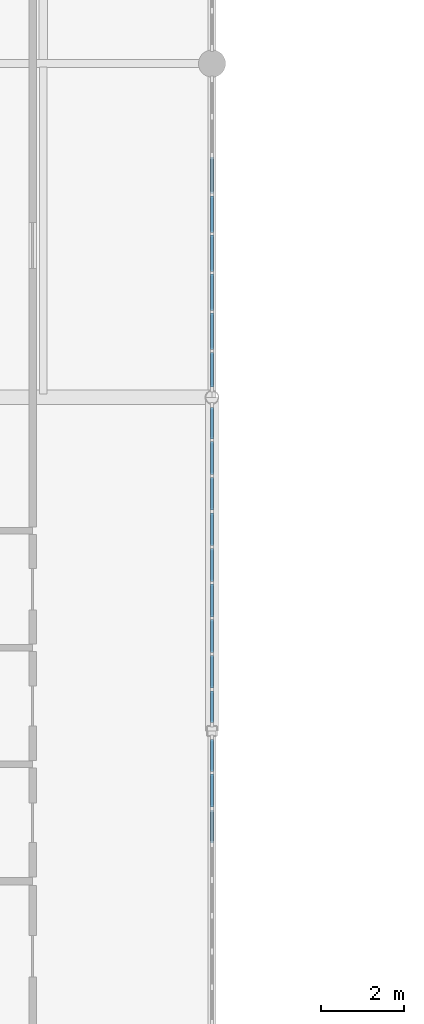
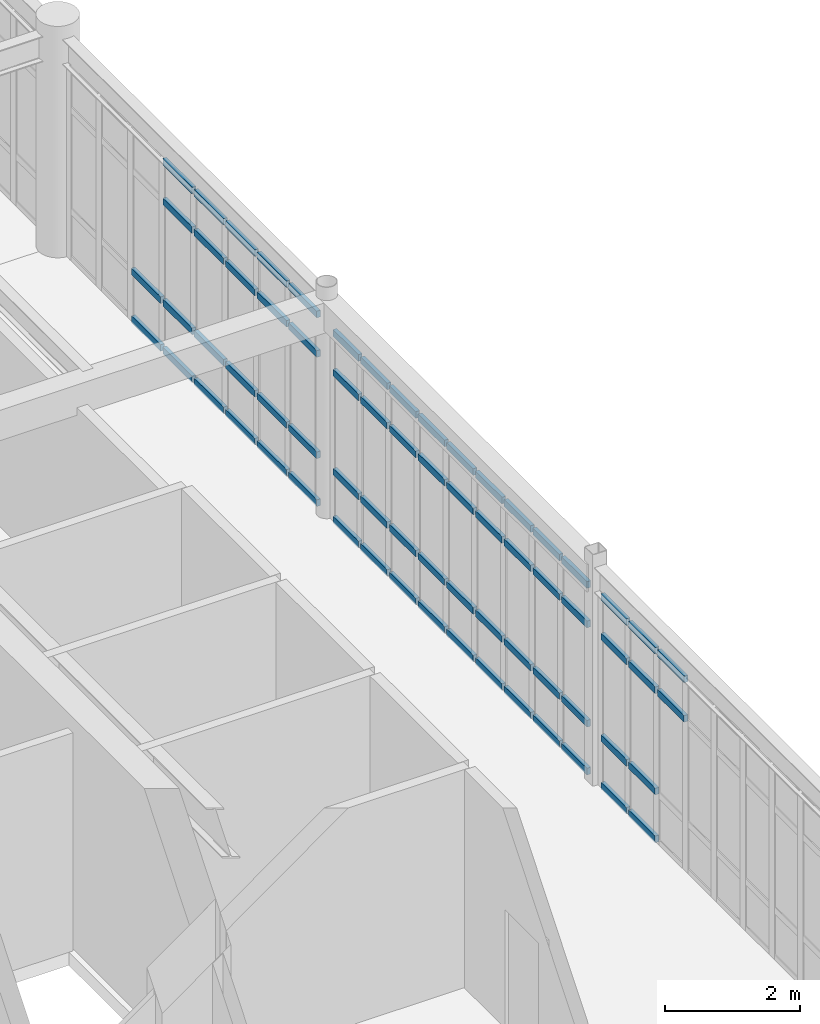
# One storey, part 16 of 36: 68 members, 3 elements without a shape of their own.
"""IFC4 building model written with IfcOpenShell, lengths in metres."""

from ifc_helpers import new_model, si_unit, direction, frame, origin, origin_2d, place, context, subcontext, project, spatial, rectangle, extrude, material, material_profile, profile_set, type_object, element, aggregate, save


model = new_model("IFC4")

# Units and contexts
model_context = context("Model", 3, precision=1e-05, world=origin(), true_north=direction((0.0, 1.0)))
body_context = subcontext(model_context, "Body", "Model", "MODEL_VIEW")
ifc_project = project(units=[si_unit("LENGTHUNIT", "METRE"), si_unit("AREAUNIT", "SQUARE_METRE"), si_unit("VOLUMEUNIT", "CUBIC_METRE"), si_unit("PLANEANGLEUNIT", "RADIAN"), si_unit("MASSUNIT", "GRAM", prefix="KILO")], contexts=[model_context])

# Site, building, storey
site_placement = place(None, origin())
site = spatial("IfcSite", under=ifc_project, at=site_placement, CompositionType="ELEMENT")
building_placement = place(site_placement, origin())
building = spatial("IfcBuilding", under=site, at=building_placement, Name="Tarnveldt Square Police Headquarters", CompositionType="ELEMENT")
storey_placement = place(building_placement, frame((0.0, 0.0, 24.89990234375)))
storey = spatial("IfcBuildingStorey", under=building, at=storey_placement, Name="L05", CompositionType="ELEMENT", Elevation=24.89990234375)

# Curtain wall, members
ifc_material_1 = material(Name="Triple-glazed low-e laminated vision glass", Category="glass")
curtain_wall_type_1 = type_object("IfcCurtainWallType", Name="CW-UP-771x349", PredefinedType="USERDEFINED", material=ifc_material_1)
curtain_wall_1_placement = place(storey_placement, origin())
curtain_wall_1 = element("IfcCurtainWall", 1, at=curtain_wall_1_placement, inside=storey, type_object=curtain_wall_type_1, Name="L05 Curtain Wall CW-L05-084", ObjectType="GLAZED CURTAIN WALL", PredefinedType="USERDEFINED")
ifc_material_2 = material(Name="Thermally broken anodised aluminium 6063-T6", Category="aluminium")
ifc_material_profile = material_profile(ifc_material_2, rectangle(XDim=0.06494140625, YDim=0.1201171875, at=origin_2d()), Name="CW-T65x120")
ifc_profile_set = profile_set([ifc_material_profile], Name="Thermally broken anodised aluminium 6063-T6")
member_type = type_object("IfcMemberType", Name="CWT-65x120", PredefinedType="USERDEFINED", material=ifc_profile_set)
member_1_placement = place(storey_placement, frame((40.5, 61.319580078125, 2.739013671875), z_axis=(0.0, 1.0, 0.0), x_axis=(-1.0, 0.0, 0.0)))
member_1 = element("IfcMember", 2, at=member_1_placement, type_object=member_type, Name="CW-UP42 transom 7.3", ObjectType="TRANSOM", PredefinedType="USERDEFINED", context=body_context, shape_type="SweptSolid", body=[
    extrude(rectangle(XDim=0.06494140625, YDim=0.1201171875, at=origin_2d()), origin(), (0.0, 0.0, 1.0), 0.7919921875),
])
member_2_placement = place(storey_placement, frame((40.5, 61.319580078125, 3.45654296875), z_axis=(0.0, 1.0, 0.0), x_axis=(-1.0, 0.0, 0.0)))
member_2 = element("IfcMember", 3, at=member_2_placement, type_object=member_type, Name="CW-UP42 transom 7.4", ObjectType="TRANSOM", PredefinedType="USERDEFINED", context=body_context, shape_type="SweptSolid", body=[
    extrude(rectangle(XDim=0.06494140625, YDim=0.1201171875, at=origin_2d()), origin(), (0.0, 0.0, 1.0), 0.7919921875),
])
member_3_placement = place(storey_placement, frame((40.5, 62.176513671875, 0.03271484375), z_axis=(0.0, 1.0, 0.0), x_axis=(-1.0, 0.0, 0.0)))
member_3 = element("IfcMember", 4, at=member_3_placement, type_object=member_type, Name="CW-UP42 transom 8.1", ObjectType="TRANSOM", PredefinedType="USERDEFINED", context=body_context, shape_type="SweptSolid", body=[
    extrude(rectangle(XDim=0.06494140625, YDim=0.1201171875, at=origin_2d()), origin(), (0.0, 0.0, 1.0), 0.7919921875),
])
member_4_placement = place(storey_placement, frame((40.5, 62.176513671875, 0.900146484375), z_axis=(0.0, 1.0, 0.0), x_axis=(-1.0, 0.0, 0.0)))
member_4 = element("IfcMember", 5, at=member_4_placement, type_object=member_type, Name="CW-UP42 transom 8.2", ObjectType="TRANSOM", PredefinedType="USERDEFINED", context=body_context, shape_type="SweptSolid", body=[
    extrude(rectangle(XDim=0.06494140625, YDim=0.1201171875, at=origin_2d()), origin(), (0.0, 0.0, 1.0), 0.7919921875),
])
member_5_placement = place(storey_placement, frame((40.5, 62.176513671875, 2.739013671875), z_axis=(0.0, 1.0, 0.0), x_axis=(-1.0, 0.0, 0.0)))
member_5 = element("IfcMember", 6, at=member_5_placement, type_object=member_type, Name="CW-UP42 transom 8.3", ObjectType="TRANSOM", PredefinedType="USERDEFINED", context=body_context, shape_type="SweptSolid", body=[
    extrude(rectangle(XDim=0.06494140625, YDim=0.1201171875, at=origin_2d()), origin(), (0.0, 0.0, 1.0), 0.7919921875),
])
member_6_placement = place(storey_placement, frame((40.5, 62.176513671875, 3.45654296875), z_axis=(0.0, 1.0, 0.0), x_axis=(-1.0, 0.0, 0.0)))
member_6 = element("IfcMember", 7, at=member_6_placement, type_object=member_type, Name="CW-UP42 transom 8.4", ObjectType="TRANSOM", PredefinedType="USERDEFINED", context=body_context, shape_type="SweptSolid", body=[
    extrude(rectangle(XDim=0.06494140625, YDim=0.1201171875, at=origin_2d()), origin(), (0.0, 0.0, 1.0), 0.7919921875),
])
member_7_placement = place(storey_placement, frame((40.5, 63.033447265625, 0.03271484375), z_axis=(0.0, 1.0, 0.0), x_axis=(-1.0, 0.0, 0.0)))
member_7 = element("IfcMember", 8, at=member_7_placement, type_object=member_type, Name="CW-UP42 transom 9.1", ObjectType="TRANSOM", PredefinedType="USERDEFINED", context=body_context, shape_type="SweptSolid", body=[
    extrude(rectangle(XDim=0.06494140625, YDim=0.1201171875, at=origin_2d()), origin(), (0.0, 0.0, 1.0), 0.759521484375),
])
member_8_placement = place(storey_placement, frame((40.5, 63.033447265625, 0.900146484375), z_axis=(0.0, 1.0, 0.0), x_axis=(-1.0, 0.0, 0.0)))
member_8 = element("IfcMember", 9, at=member_8_placement, type_object=member_type, Name="CW-UP42 transom 9.2", ObjectType="TRANSOM", PredefinedType="USERDEFINED", context=body_context, shape_type="SweptSolid", body=[
    extrude(rectangle(XDim=0.06494140625, YDim=0.1201171875, at=origin_2d()), origin(), (0.0, 0.0, 1.0), 0.759521484375),
])
member_9_placement = place(storey_placement, frame((40.5, 63.033447265625, 2.739013671875), z_axis=(0.0, 1.0, 0.0), x_axis=(-1.0, 0.0, 0.0)))
member_9 = element("IfcMember", 10, at=member_9_placement, type_object=member_type, Name="CW-UP42 transom 9.3", ObjectType="TRANSOM", PredefinedType="USERDEFINED", context=body_context, shape_type="SweptSolid", body=[
    extrude(rectangle(XDim=0.06494140625, YDim=0.1201171875, at=origin_2d()), origin(), (0.0, 0.0, 1.0), 0.759521484375),
])
member_10_placement = place(storey_placement, frame((40.5, 63.033447265625, 3.45654296875), z_axis=(0.0, 1.0, 0.0), x_axis=(-1.0, 0.0, 0.0)))
member_10 = element("IfcMember", 11, at=member_10_placement, type_object=member_type, Name="CW-UP42 transom 9.4", ObjectType="TRANSOM", PredefinedType="USERDEFINED", context=body_context, shape_type="SweptSolid", body=[
    extrude(rectangle(XDim=0.06494140625, YDim=0.1201171875, at=origin_2d()), origin(), (0.0, 0.0, 1.0), 0.759521484375),
])
aggregate(curtain_wall_1, [member_1, member_2, member_3, member_4, member_5, member_6, member_7, member_8, member_9, member_10])

curtain_wall_type_2 = type_object("IfcCurtainWallType", Name="CW-UP-768x345", PredefinedType="USERDEFINED", material=ifc_material_1)
curtain_wall_2_placement = place(storey_placement, origin())
curtain_wall_2 = element("IfcCurtainWall", 12, at=curtain_wall_2_placement, inside=storey, type_object=curtain_wall_type_2, Name="L05 Curtain Wall CW-L05-085", ObjectType="GLAZED CURTAIN WALL", PredefinedType="USERDEFINED")
member_11_placement = place(storey_placement, frame((40.5, 64.20703125, 0.03271484375), z_axis=(0.0, 1.0, 0.0), x_axis=(-1.0, 0.0, 0.0)))
member_11 = element("IfcMember", 13, at=member_11_placement, type_object=member_type, Name="CW-UP43 transom 1.1", ObjectType="TRANSOM", PredefinedType="USERDEFINED", context=body_context, shape_type="SweptSolid", body=[
    extrude(rectangle(XDim=0.06494140625, YDim=0.1201171875, at=origin_2d()), origin(), (0.0, 0.0, 1.0), 0.755859375),
])
member_12_placement = place(storey_placement, frame((40.5, 64.20703125, 0.900146484375), z_axis=(0.0, 1.0, 0.0), x_axis=(-1.0, 0.0, 0.0)))
member_12 = element("IfcMember", 14, at=member_12_placement, type_object=member_type, Name="CW-UP43 transom 1.2", ObjectType="TRANSOM", PredefinedType="USERDEFINED", context=body_context, shape_type="SweptSolid", body=[
    extrude(rectangle(XDim=0.06494140625, YDim=0.1201171875, at=origin_2d()), origin(), (0.0, 0.0, 1.0), 0.755859375),
])
member_13_placement = place(storey_placement, frame((40.5, 64.20703125, 2.7021484375), z_axis=(0.0, 1.0, 0.0), x_axis=(-1.0, 0.0, 0.0)))
member_13 = element("IfcMember", 15, at=member_13_placement, type_object=member_type, Name="CW-UP43 transom 1.3", ObjectType="TRANSOM", PredefinedType="USERDEFINED", context=body_context, shape_type="SweptSolid", body=[
    extrude(rectangle(XDim=0.06494140625, YDim=0.1201171875, at=origin_2d()), origin(), (0.0, 0.0, 1.0), 0.755859375),
])
member_14_placement = place(storey_placement, frame((40.5, 64.20703125, 3.419677734375), z_axis=(0.0, 1.0, 0.0), x_axis=(-1.0, 0.0, 0.0)))
member_14 = element("IfcMember", 16, at=member_14_placement, type_object=member_type, Name="CW-UP43 transom 1.4", ObjectType="TRANSOM", PredefinedType="USERDEFINED", context=body_context, shape_type="SweptSolid", body=[
    extrude(rectangle(XDim=0.06494140625, YDim=0.1201171875, at=origin_2d()), origin(), (0.0, 0.0, 1.0), 0.755859375),
])
member_15_placement = place(storey_placement, frame((40.5, 65.02783203125, 0.03271484375), z_axis=(0.0, 1.0, 0.0), x_axis=(-1.0, 0.0, 0.0)))
member_15 = element("IfcMember", 17, at=member_15_placement, type_object=member_type, Name="CW-UP43 transom 2.1", ObjectType="TRANSOM", PredefinedType="USERDEFINED", context=body_context, shape_type="SweptSolid", body=[
    extrude(rectangle(XDim=0.06494140625, YDim=0.1201171875, at=origin_2d()), origin(), (0.0, 0.0, 1.0), 0.78857421875),
])
member_16_placement = place(storey_placement, frame((40.5, 65.02783203125, 0.900146484375), z_axis=(0.0, 1.0, 0.0), x_axis=(-1.0, 0.0, 0.0)))
member_16 = element("IfcMember", 18, at=member_16_placement, type_object=member_type, Name="CW-UP43 transom 2.2", ObjectType="TRANSOM", PredefinedType="USERDEFINED", context=body_context, shape_type="SweptSolid", body=[
    extrude(rectangle(XDim=0.06494140625, YDim=0.1201171875, at=origin_2d()), origin(), (0.0, 0.0, 1.0), 0.78857421875),
])
member_17_placement = place(storey_placement, frame((40.5, 65.02783203125, 2.7021484375), z_axis=(0.0, 1.0, 0.0), x_axis=(-1.0, 0.0, 0.0)))
member_17 = element("IfcMember", 19, at=member_17_placement, type_object=member_type, Name="CW-UP43 transom 2.3", ObjectType="TRANSOM", PredefinedType="USERDEFINED", context=body_context, shape_type="SweptSolid", body=[
    extrude(rectangle(XDim=0.06494140625, YDim=0.1201171875, at=origin_2d()), origin(), (0.0, 0.0, 1.0), 0.78857421875),
])
member_18_placement = place(storey_placement, frame((40.5, 65.02783203125, 3.419677734375), z_axis=(0.0, 1.0, 0.0), x_axis=(-1.0, 0.0, 0.0)))
member_18 = element("IfcMember", 20, at=member_18_placement, type_object=member_type, Name="CW-UP43 transom 2.4", ObjectType="TRANSOM", PredefinedType="USERDEFINED", context=body_context, shape_type="SweptSolid", body=[
    extrude(rectangle(XDim=0.06494140625, YDim=0.1201171875, at=origin_2d()), origin(), (0.0, 0.0, 1.0), 0.78857421875),
])
member_19_placement = place(storey_placement, frame((40.5, 65.88134765625, 0.03271484375), z_axis=(0.0, 1.0, 0.0), x_axis=(-1.0, 0.0, 0.0)))
member_19 = element("IfcMember", 21, at=member_19_placement, type_object=member_type, Name="CW-UP43 transom 3.1", ObjectType="TRANSOM", PredefinedType="USERDEFINED", context=body_context, shape_type="SweptSolid", body=[
    extrude(rectangle(XDim=0.06494140625, YDim=0.1201171875, at=origin_2d()), origin(), (0.0, 0.0, 1.0), 0.78857421875),
])
member_20_placement = place(storey_placement, frame((40.5, 65.88134765625, 0.900146484375), z_axis=(0.0, 1.0, 0.0), x_axis=(-1.0, 0.0, 0.0)))
member_20 = element("IfcMember", 22, at=member_20_placement, type_object=member_type, Name="CW-UP43 transom 3.2", ObjectType="TRANSOM", PredefinedType="USERDEFINED", context=body_context, shape_type="SweptSolid", body=[
    extrude(rectangle(XDim=0.06494140625, YDim=0.1201171875, at=origin_2d()), origin(), (0.0, 0.0, 1.0), 0.78857421875),
])
member_21_placement = place(storey_placement, frame((40.5, 65.88134765625, 2.7021484375), z_axis=(0.0, 1.0, 0.0), x_axis=(-1.0, 0.0, 0.0)))
member_21 = element("IfcMember", 23, at=member_21_placement, type_object=member_type, Name="CW-UP43 transom 3.3", ObjectType="TRANSOM", PredefinedType="USERDEFINED", context=body_context, shape_type="SweptSolid", body=[
    extrude(rectangle(XDim=0.06494140625, YDim=0.1201171875, at=origin_2d()), origin(), (0.0, 0.0, 1.0), 0.78857421875),
])
member_22_placement = place(storey_placement, frame((40.5, 65.88134765625, 3.419677734375), z_axis=(0.0, 1.0, 0.0), x_axis=(-1.0, 0.0, 0.0)))
member_22 = element("IfcMember", 24, at=member_22_placement, type_object=member_type, Name="CW-UP43 transom 3.4", ObjectType="TRANSOM", PredefinedType="USERDEFINED", context=body_context, shape_type="SweptSolid", body=[
    extrude(rectangle(XDim=0.06494140625, YDim=0.1201171875, at=origin_2d()), origin(), (0.0, 0.0, 1.0), 0.78857421875),
])
member_23_placement = place(storey_placement, frame((40.5, 66.73486328125, 0.03271484375), z_axis=(0.0, 1.0, 0.0), x_axis=(-1.0, 0.0, 0.0)))
member_23 = element("IfcMember", 25, at=member_23_placement, type_object=member_type, Name="CW-UP43 transom 4.1", ObjectType="TRANSOM", PredefinedType="USERDEFINED", context=body_context, shape_type="SweptSolid", body=[
    extrude(rectangle(XDim=0.06494140625, YDim=0.1201171875, at=origin_2d()), origin(), (0.0, 0.0, 1.0), 0.788330078125),
])
member_24_placement = place(storey_placement, frame((40.5, 66.73486328125, 0.900146484375), z_axis=(0.0, 1.0, 0.0), x_axis=(-1.0, 0.0, 0.0)))
member_24 = element("IfcMember", 26, at=member_24_placement, type_object=member_type, Name="CW-UP43 transom 4.2", ObjectType="TRANSOM", PredefinedType="USERDEFINED", context=body_context, shape_type="SweptSolid", body=[
    extrude(rectangle(XDim=0.06494140625, YDim=0.1201171875, at=origin_2d()), origin(), (0.0, 0.0, 1.0), 0.788330078125),
])
member_25_placement = place(storey_placement, frame((40.5, 66.73486328125, 2.7021484375), z_axis=(0.0, 1.0, 0.0), x_axis=(-1.0, 0.0, 0.0)))
member_25 = element("IfcMember", 27, at=member_25_placement, type_object=member_type, Name="CW-UP43 transom 4.3", ObjectType="TRANSOM", PredefinedType="USERDEFINED", context=body_context, shape_type="SweptSolid", body=[
    extrude(rectangle(XDim=0.06494140625, YDim=0.1201171875, at=origin_2d()), origin(), (0.0, 0.0, 1.0), 0.788330078125),
])
member_26_placement = place(storey_placement, frame((40.5, 66.73486328125, 3.419677734375), z_axis=(0.0, 1.0, 0.0), x_axis=(-1.0, 0.0, 0.0)))
member_26 = element("IfcMember", 28, at=member_26_placement, type_object=member_type, Name="CW-UP43 transom 4.4", ObjectType="TRANSOM", PredefinedType="USERDEFINED", context=body_context, shape_type="SweptSolid", body=[
    extrude(rectangle(XDim=0.06494140625, YDim=0.1201171875, at=origin_2d()), origin(), (0.0, 0.0, 1.0), 0.788330078125),
])
member_27_placement = place(storey_placement, frame((40.5, 67.58837890625, 0.03271484375), z_axis=(0.0, 1.0, 0.0), x_axis=(-1.0, 0.0, 0.0)))
member_27 = element("IfcMember", 29, at=member_27_placement, type_object=member_type, Name="CW-UP43 transom 5.1", ObjectType="TRANSOM", PredefinedType="USERDEFINED", context=body_context, shape_type="SweptSolid", body=[
    extrude(rectangle(XDim=0.06494140625, YDim=0.1201171875, at=origin_2d()), origin(), (0.0, 0.0, 1.0), 0.788330078125),
])
member_28_placement = place(storey_placement, frame((40.5, 67.58837890625, 0.900146484375), z_axis=(0.0, 1.0, 0.0), x_axis=(-1.0, 0.0, 0.0)))
member_28 = element("IfcMember", 30, at=member_28_placement, type_object=member_type, Name="CW-UP43 transom 5.2", ObjectType="TRANSOM", PredefinedType="USERDEFINED", context=body_context, shape_type="SweptSolid", body=[
    extrude(rectangle(XDim=0.06494140625, YDim=0.1201171875, at=origin_2d()), origin(), (0.0, 0.0, 1.0), 0.788330078125),
])
member_29_placement = place(storey_placement, frame((40.5, 67.58837890625, 2.7021484375), z_axis=(0.0, 1.0, 0.0), x_axis=(-1.0, 0.0, 0.0)))
member_29 = element("IfcMember", 31, at=member_29_placement, type_object=member_type, Name="CW-UP43 transom 5.3", ObjectType="TRANSOM", PredefinedType="USERDEFINED", context=body_context, shape_type="SweptSolid", body=[
    extrude(rectangle(XDim=0.06494140625, YDim=0.1201171875, at=origin_2d()), origin(), (0.0, 0.0, 1.0), 0.788330078125),
])
member_30_placement = place(storey_placement, frame((40.5, 67.58837890625, 3.419677734375), z_axis=(0.0, 1.0, 0.0), x_axis=(-1.0, 0.0, 0.0)))
member_30 = element("IfcMember", 32, at=member_30_placement, type_object=member_type, Name="CW-UP43 transom 5.4", ObjectType="TRANSOM", PredefinedType="USERDEFINED", context=body_context, shape_type="SweptSolid", body=[
    extrude(rectangle(XDim=0.06494140625, YDim=0.1201171875, at=origin_2d()), origin(), (0.0, 0.0, 1.0), 0.788330078125),
])
member_31_placement = place(storey_placement, frame((40.5, 68.441650390625, 0.03271484375), z_axis=(0.0, 1.0, 0.0), x_axis=(-1.0, 0.0, 0.0)))
member_31 = element("IfcMember", 33, at=member_31_placement, type_object=member_type, Name="CW-UP43 transom 6.1", ObjectType="TRANSOM", PredefinedType="USERDEFINED", context=body_context, shape_type="SweptSolid", body=[
    extrude(rectangle(XDim=0.06494140625, YDim=0.1201171875, at=origin_2d()), origin(), (0.0, 0.0, 1.0), 0.78857421875),
])
member_32_placement = place(storey_placement, frame((40.5, 68.441650390625, 0.900146484375), z_axis=(0.0, 1.0, 0.0), x_axis=(-1.0, 0.0, 0.0)))
member_32 = element("IfcMember", 34, at=member_32_placement, type_object=member_type, Name="CW-UP43 transom 6.2", ObjectType="TRANSOM", PredefinedType="USERDEFINED", context=body_context, shape_type="SweptSolid", body=[
    extrude(rectangle(XDim=0.06494140625, YDim=0.1201171875, at=origin_2d()), origin(), (0.0, 0.0, 1.0), 0.78857421875),
])
member_33_placement = place(storey_placement, frame((40.5, 68.441650390625, 2.7021484375), z_axis=(0.0, 1.0, 0.0), x_axis=(-1.0, 0.0, 0.0)))
member_33 = element("IfcMember", 35, at=member_33_placement, type_object=member_type, Name="CW-UP43 transom 6.3", ObjectType="TRANSOM", PredefinedType="USERDEFINED", context=body_context, shape_type="SweptSolid", body=[
    extrude(rectangle(XDim=0.06494140625, YDim=0.1201171875, at=origin_2d()), origin(), (0.0, 0.0, 1.0), 0.78857421875),
])
member_34_placement = place(storey_placement, frame((40.5, 68.441650390625, 3.419677734375), z_axis=(0.0, 1.0, 0.0), x_axis=(-1.0, 0.0, 0.0)))
member_34 = element("IfcMember", 36, at=member_34_placement, type_object=member_type, Name="CW-UP43 transom 6.4", ObjectType="TRANSOM", PredefinedType="USERDEFINED", context=body_context, shape_type="SweptSolid", body=[
    extrude(rectangle(XDim=0.06494140625, YDim=0.1201171875, at=origin_2d()), origin(), (0.0, 0.0, 1.0), 0.78857421875),
])
member_35_placement = place(storey_placement, frame((40.5, 69.295166015625, 0.03271484375), z_axis=(0.0, 1.0, 0.0), x_axis=(-1.0, 0.0, 0.0)))
member_35 = element("IfcMember", 37, at=member_35_placement, type_object=member_type, Name="CW-UP43 transom 7.1", ObjectType="TRANSOM", PredefinedType="USERDEFINED", context=body_context, shape_type="SweptSolid", body=[
    extrude(rectangle(XDim=0.06494140625, YDim=0.1201171875, at=origin_2d()), origin(), (0.0, 0.0, 1.0), 0.788330078125),
])
member_36_placement = place(storey_placement, frame((40.5, 69.295166015625, 0.900146484375), z_axis=(0.0, 1.0, 0.0), x_axis=(-1.0, 0.0, 0.0)))
member_36 = element("IfcMember", 38, at=member_36_placement, type_object=member_type, Name="CW-UP43 transom 7.2", ObjectType="TRANSOM", PredefinedType="USERDEFINED", context=body_context, shape_type="SweptSolid", body=[
    extrude(rectangle(XDim=0.06494140625, YDim=0.1201171875, at=origin_2d()), origin(), (0.0, 0.0, 1.0), 0.788330078125),
])
member_37_placement = place(storey_placement, frame((40.5, 69.295166015625, 2.7021484375), z_axis=(0.0, 1.0, 0.0), x_axis=(-1.0, 0.0, 0.0)))
member_37 = element("IfcMember", 39, at=member_37_placement, type_object=member_type, Name="CW-UP43 transom 7.3", ObjectType="TRANSOM", PredefinedType="USERDEFINED", context=body_context, shape_type="SweptSolid", body=[
    extrude(rectangle(XDim=0.06494140625, YDim=0.1201171875, at=origin_2d()), origin(), (0.0, 0.0, 1.0), 0.788330078125),
])
member_38_placement = place(storey_placement, frame((40.5, 69.295166015625, 3.419677734375), z_axis=(0.0, 1.0, 0.0), x_axis=(-1.0, 0.0, 0.0)))
member_38 = element("IfcMember", 40, at=member_38_placement, type_object=member_type, Name="CW-UP43 transom 7.4", ObjectType="TRANSOM", PredefinedType="USERDEFINED", context=body_context, shape_type="SweptSolid", body=[
    extrude(rectangle(XDim=0.06494140625, YDim=0.1201171875, at=origin_2d()), origin(), (0.0, 0.0, 1.0), 0.788330078125),
])
member_39_placement = place(storey_placement, frame((40.5, 70.148681640625, 0.03271484375), z_axis=(0.0, 1.0, 0.0), x_axis=(-1.0, 0.0, 0.0)))
member_39 = element("IfcMember", 41, at=member_39_placement, type_object=member_type, Name="CW-UP43 transom 8.1", ObjectType="TRANSOM", PredefinedType="USERDEFINED", context=body_context, shape_type="SweptSolid", body=[
    extrude(rectangle(XDim=0.06494140625, YDim=0.1201171875, at=origin_2d()), origin(), (0.0, 0.0, 1.0), 0.788330078125),
])
member_40_placement = place(storey_placement, frame((40.5, 70.148681640625, 0.900146484375), z_axis=(0.0, 1.0, 0.0), x_axis=(-1.0, 0.0, 0.0)))
member_40 = element("IfcMember", 42, at=member_40_placement, type_object=member_type, Name="CW-UP43 transom 8.2", ObjectType="TRANSOM", PredefinedType="USERDEFINED", context=body_context, shape_type="SweptSolid", body=[
    extrude(rectangle(XDim=0.06494140625, YDim=0.1201171875, at=origin_2d()), origin(), (0.0, 0.0, 1.0), 0.788330078125),
])
member_41_placement = place(storey_placement, frame((40.5, 70.148681640625, 2.7021484375), z_axis=(0.0, 1.0, 0.0), x_axis=(-1.0, 0.0, 0.0)))
member_41 = element("IfcMember", 43, at=member_41_placement, type_object=member_type, Name="CW-UP43 transom 8.3", ObjectType="TRANSOM", PredefinedType="USERDEFINED", context=body_context, shape_type="SweptSolid", body=[
    extrude(rectangle(XDim=0.06494140625, YDim=0.1201171875, at=origin_2d()), origin(), (0.0, 0.0, 1.0), 0.788330078125),
])
member_42_placement = place(storey_placement, frame((40.5, 70.148681640625, 3.419677734375), z_axis=(0.0, 1.0, 0.0), x_axis=(-1.0, 0.0, 0.0)))
member_42 = element("IfcMember", 44, at=member_42_placement, type_object=member_type, Name="CW-UP43 transom 8.4", ObjectType="TRANSOM", PredefinedType="USERDEFINED", context=body_context, shape_type="SweptSolid", body=[
    extrude(rectangle(XDim=0.06494140625, YDim=0.1201171875, at=origin_2d()), origin(), (0.0, 0.0, 1.0), 0.788330078125),
])
member_43_placement = place(storey_placement, frame((40.5, 71.001953125, 0.03271484375), z_axis=(0.0, 1.0, 0.0), x_axis=(-1.0, 0.0, 0.0)))
member_43 = element("IfcMember", 45, at=member_43_placement, type_object=member_type, Name="CW-UP43 transom 9.1", ObjectType="TRANSOM", PredefinedType="USERDEFINED", context=body_context, shape_type="SweptSolid", body=[
    extrude(rectangle(XDim=0.06494140625, YDim=0.1201171875, at=origin_2d()), origin(), (0.0, 0.0, 1.0), 0.756103515625),
])
member_44_placement = place(storey_placement, frame((40.5, 71.001953125, 0.900146484375), z_axis=(0.0, 1.0, 0.0), x_axis=(-1.0, 0.0, 0.0)))
member_44 = element("IfcMember", 46, at=member_44_placement, type_object=member_type, Name="CW-UP43 transom 9.2", ObjectType="TRANSOM", PredefinedType="USERDEFINED", context=body_context, shape_type="SweptSolid", body=[
    extrude(rectangle(XDim=0.06494140625, YDim=0.1201171875, at=origin_2d()), origin(), (0.0, 0.0, 1.0), 0.756103515625),
])
member_45_placement = place(storey_placement, frame((40.5, 71.001953125, 2.7021484375), z_axis=(0.0, 1.0, 0.0), x_axis=(-1.0, 0.0, 0.0)))
member_45 = element("IfcMember", 47, at=member_45_placement, type_object=member_type, Name="CW-UP43 transom 9.3", ObjectType="TRANSOM", PredefinedType="USERDEFINED", context=body_context, shape_type="SweptSolid", body=[
    extrude(rectangle(XDim=0.06494140625, YDim=0.1201171875, at=origin_2d()), origin(), (0.0, 0.0, 1.0), 0.756103515625),
])
member_46_placement = place(storey_placement, frame((40.5, 71.001953125, 3.419677734375), z_axis=(0.0, 1.0, 0.0), x_axis=(-1.0, 0.0, 0.0)))
member_46 = element("IfcMember", 48, at=member_46_placement, type_object=member_type, Name="CW-UP43 transom 9.4", ObjectType="TRANSOM", PredefinedType="USERDEFINED", context=body_context, shape_type="SweptSolid", body=[
    extrude(rectangle(XDim=0.06494140625, YDim=0.1201171875, at=origin_2d()), origin(), (0.0, 0.0, 1.0), 0.756103515625),
])
aggregate(curtain_wall_2, [member_11, member_12, member_13, member_14, member_15, member_16, member_17, member_18, member_19, member_20, member_21, member_22, member_23, member_24, member_25, member_26, member_27, member_28, member_29, member_30, member_31, member_32, member_33, member_34, member_35, member_36, member_37, member_38, member_39, member_40, member_41, member_42, member_43, member_44, member_45, member_46])

curtain_wall_type_3 = type_object("IfcCurtainWallType", Name="CW-UP-748x349", PredefinedType="USERDEFINED", material=ifc_material_1)
curtain_wall_3_placement = place(storey_placement, origin())
curtain_wall_3 = element("IfcCurtainWall", 49, at=curtain_wall_3_placement, inside=storey, type_object=curtain_wall_type_3, Name="L05 Curtain Wall CW-L05-086", ObjectType="GLAZED CURTAIN WALL", PredefinedType="USERDEFINED")
member_47_placement = place(storey_placement, frame((40.5, 72.241943359375, 0.03271484375), z_axis=(0.0, 1.0, 0.0), x_axis=(-1.0, 0.0, 0.0)))
member_47 = element("IfcMember", 50, at=member_47_placement, type_object=member_type, Name="CW-UP44 transom 1.1", ObjectType="TRANSOM", PredefinedType="USERDEFINED", context=body_context, shape_type="SweptSolid", body=[
    extrude(rectangle(XDim=0.06494140625, YDim=0.1201171875, at=origin_2d()), origin(), (0.0, 0.0, 1.0), 0.837890625),
])
member_48_placement = place(storey_placement, frame((40.5, 72.241943359375, 0.900146484375), z_axis=(0.0, 1.0, 0.0), x_axis=(-1.0, 0.0, 0.0)))
member_48 = element("IfcMember", 51, at=member_48_placement, type_object=member_type, Name="CW-UP44 transom 1.2", ObjectType="TRANSOM", PredefinedType="USERDEFINED", context=body_context, shape_type="SweptSolid", body=[
    extrude(rectangle(XDim=0.06494140625, YDim=0.1201171875, at=origin_2d()), origin(), (0.0, 0.0, 1.0), 0.837890625),
])
member_49_placement = place(storey_placement, frame((40.5, 72.241943359375, 2.739013671875), z_axis=(0.0, 1.0, 0.0), x_axis=(-1.0, 0.0, 0.0)))
member_49 = element("IfcMember", 52, at=member_49_placement, type_object=member_type, Name="CW-UP44 transom 1.3", ObjectType="TRANSOM", PredefinedType="USERDEFINED", context=body_context, shape_type="SweptSolid", body=[
    extrude(rectangle(XDim=0.06494140625, YDim=0.1201171875, at=origin_2d()), origin(), (0.0, 0.0, 1.0), 0.837890625),
])
member_50_placement = place(storey_placement, frame((40.5, 72.241943359375, 3.45654296875), z_axis=(0.0, 1.0, 0.0), x_axis=(-1.0, 0.0, 0.0)))
member_50 = element("IfcMember", 53, at=member_50_placement, type_object=member_type, Name="CW-UP44 transom 1.4", ObjectType="TRANSOM", PredefinedType="USERDEFINED", context=body_context, shape_type="SweptSolid", body=[
    extrude(rectangle(XDim=0.06494140625, YDim=0.1201171875, at=origin_2d()), origin(), (0.0, 0.0, 1.0), 0.837890625),
])
member_51_placement = place(storey_placement, frame((40.5, 73.144775390625, 0.03271484375), z_axis=(0.0, 1.0, 0.0), x_axis=(-1.0, 0.0, 0.0)))
member_51 = element("IfcMember", 54, at=member_51_placement, type_object=member_type, Name="CW-UP44 transom 2.1", ObjectType="TRANSOM", PredefinedType="USERDEFINED", context=body_context, shape_type="SweptSolid", body=[
    extrude(rectangle(XDim=0.06494140625, YDim=0.1201171875, at=origin_2d()), origin(), (0.0, 0.0, 1.0), 0.870361328125),
])
member_52_placement = place(storey_placement, frame((40.5, 73.144775390625, 0.900146484375), z_axis=(0.0, 1.0, 0.0), x_axis=(-1.0, 0.0, 0.0)))
member_52 = element("IfcMember", 55, at=member_52_placement, type_object=member_type, Name="CW-UP44 transom 2.2", ObjectType="TRANSOM", PredefinedType="USERDEFINED", context=body_context, shape_type="SweptSolid", body=[
    extrude(rectangle(XDim=0.06494140625, YDim=0.1201171875, at=origin_2d()), origin(), (0.0, 0.0, 1.0), 0.870361328125),
])
member_53_placement = place(storey_placement, frame((40.5, 73.144775390625, 2.739013671875), z_axis=(0.0, 1.0, 0.0), x_axis=(-1.0, 0.0, 0.0)))
member_53 = element("IfcMember", 56, at=member_53_placement, type_object=member_type, Name="CW-UP44 transom 2.3", ObjectType="TRANSOM", PredefinedType="USERDEFINED", context=body_context, shape_type="SweptSolid", body=[
    extrude(rectangle(XDim=0.06494140625, YDim=0.1201171875, at=origin_2d()), origin(), (0.0, 0.0, 1.0), 0.870361328125),
])
member_54_placement = place(storey_placement, frame((40.5, 73.144775390625, 3.45654296875), z_axis=(0.0, 1.0, 0.0), x_axis=(-1.0, 0.0, 0.0)))
member_54 = element("IfcMember", 57, at=member_54_placement, type_object=member_type, Name="CW-UP44 transom 2.4", ObjectType="TRANSOM", PredefinedType="USERDEFINED", context=body_context, shape_type="SweptSolid", body=[
    extrude(rectangle(XDim=0.06494140625, YDim=0.1201171875, at=origin_2d()), origin(), (0.0, 0.0, 1.0), 0.870361328125),
])
member_55_placement = place(storey_placement, frame((40.5, 74.080322265625, 0.03271484375), z_axis=(0.0, 1.0, 0.0), x_axis=(-1.0, 0.0, 0.0)))
member_55 = element("IfcMember", 58, at=member_55_placement, type_object=member_type, Name="CW-UP44 transom 3.1", ObjectType="TRANSOM", PredefinedType="USERDEFINED", context=body_context, shape_type="SweptSolid", body=[
    extrude(rectangle(XDim=0.06494140625, YDim=0.1201171875, at=origin_2d()), origin(), (0.0, 0.0, 1.0), 0.870361328125),
])
member_56_placement = place(storey_placement, frame((40.5, 74.080322265625, 0.900146484375), z_axis=(0.0, 1.0, 0.0), x_axis=(-1.0, 0.0, 0.0)))
member_56 = element("IfcMember", 59, at=member_56_placement, type_object=member_type, Name="CW-UP44 transom 3.2", ObjectType="TRANSOM", PredefinedType="USERDEFINED", context=body_context, shape_type="SweptSolid", body=[
    extrude(rectangle(XDim=0.06494140625, YDim=0.1201171875, at=origin_2d()), origin(), (0.0, 0.0, 1.0), 0.870361328125),
])
member_57_placement = place(storey_placement, frame((40.5, 74.080322265625, 2.739013671875), z_axis=(0.0, 1.0, 0.0), x_axis=(-1.0, 0.0, 0.0)))
member_57 = element("IfcMember", 60, at=member_57_placement, type_object=member_type, Name="CW-UP44 transom 3.3", ObjectType="TRANSOM", PredefinedType="USERDEFINED", context=body_context, shape_type="SweptSolid", body=[
    extrude(rectangle(XDim=0.06494140625, YDim=0.1201171875, at=origin_2d()), origin(), (0.0, 0.0, 1.0), 0.870361328125),
])
member_58_placement = place(storey_placement, frame((40.5, 74.080322265625, 3.45654296875), z_axis=(0.0, 1.0, 0.0), x_axis=(-1.0, 0.0, 0.0)))
member_58 = element("IfcMember", 61, at=member_58_placement, type_object=member_type, Name="CW-UP44 transom 3.4", ObjectType="TRANSOM", PredefinedType="USERDEFINED", context=body_context, shape_type="SweptSolid", body=[
    extrude(rectangle(XDim=0.06494140625, YDim=0.1201171875, at=origin_2d()), origin(), (0.0, 0.0, 1.0), 0.870361328125),
])
member_59_placement = place(storey_placement, frame((40.5, 75.015625, 0.03271484375), z_axis=(0.0, 1.0, 0.0), x_axis=(-1.0, 0.0, 0.0)))
member_59 = element("IfcMember", 62, at=member_59_placement, type_object=member_type, Name="CW-UP44 transom 4.1", ObjectType="TRANSOM", PredefinedType="USERDEFINED", context=body_context, shape_type="SweptSolid", body=[
    extrude(rectangle(XDim=0.06494140625, YDim=0.1201171875, at=origin_2d()), origin(), (0.0, 0.0, 1.0), 0.870361328125),
])
member_60_placement = place(storey_placement, frame((40.5, 75.015625, 0.900146484375), z_axis=(0.0, 1.0, 0.0), x_axis=(-1.0, 0.0, 0.0)))
member_60 = element("IfcMember", 63, at=member_60_placement, type_object=member_type, Name="CW-UP44 transom 4.2", ObjectType="TRANSOM", PredefinedType="USERDEFINED", context=body_context, shape_type="SweptSolid", body=[
    extrude(rectangle(XDim=0.06494140625, YDim=0.1201171875, at=origin_2d()), origin(), (0.0, 0.0, 1.0), 0.870361328125),
])
member_61_placement = place(storey_placement, frame((40.5, 75.015625, 2.739013671875), z_axis=(0.0, 1.0, 0.0), x_axis=(-1.0, 0.0, 0.0)))
member_61 = element("IfcMember", 64, at=member_61_placement, type_object=member_type, Name="CW-UP44 transom 4.3", ObjectType="TRANSOM", PredefinedType="USERDEFINED", context=body_context, shape_type="SweptSolid", body=[
    extrude(rectangle(XDim=0.06494140625, YDim=0.1201171875, at=origin_2d()), origin(), (0.0, 0.0, 1.0), 0.870361328125),
])
member_62_placement = place(storey_placement, frame((40.5, 75.015625, 3.45654296875), z_axis=(0.0, 1.0, 0.0), x_axis=(-1.0, 0.0, 0.0)))
member_62 = element("IfcMember", 65, at=member_62_placement, type_object=member_type, Name="CW-UP44 transom 4.4", ObjectType="TRANSOM", PredefinedType="USERDEFINED", context=body_context, shape_type="SweptSolid", body=[
    extrude(rectangle(XDim=0.06494140625, YDim=0.1201171875, at=origin_2d()), origin(), (0.0, 0.0, 1.0), 0.870361328125),
])
member_63_placement = place(storey_placement, frame((40.5, 75.950927734375, 0.03271484375), z_axis=(0.0, 1.0, 0.0), x_axis=(-1.0, 0.0, 0.0)))
member_63 = element("IfcMember", 66, at=member_63_placement, type_object=member_type, Name="CW-UP44 transom 5.1", ObjectType="TRANSOM", PredefinedType="USERDEFINED", context=body_context, shape_type="SweptSolid", body=[
    extrude(rectangle(XDim=0.06494140625, YDim=0.1201171875, at=origin_2d()), origin(), (0.0, 0.0, 1.0), 0.870361328125),
])
member_64_placement = place(storey_placement, frame((40.5, 75.950927734375, 0.900146484375), z_axis=(0.0, 1.0, 0.0), x_axis=(-1.0, 0.0, 0.0)))
member_64 = element("IfcMember", 67, at=member_64_placement, type_object=member_type, Name="CW-UP44 transom 5.2", ObjectType="TRANSOM", PredefinedType="USERDEFINED", context=body_context, shape_type="SweptSolid", body=[
    extrude(rectangle(XDim=0.06494140625, YDim=0.1201171875, at=origin_2d()), origin(), (0.0, 0.0, 1.0), 0.870361328125),
])
member_65_placement = place(storey_placement, frame((40.5, 75.950927734375, 2.739013671875), z_axis=(0.0, 1.0, 0.0), x_axis=(-1.0, 0.0, 0.0)))
member_65 = element("IfcMember", 68, at=member_65_placement, type_object=member_type, Name="CW-UP44 transom 5.3", ObjectType="TRANSOM", PredefinedType="USERDEFINED", context=body_context, shape_type="SweptSolid", body=[
    extrude(rectangle(XDim=0.06494140625, YDim=0.1201171875, at=origin_2d()), origin(), (0.0, 0.0, 1.0), 0.870361328125),
])
member_66_placement = place(storey_placement, frame((40.5, 75.950927734375, 3.45654296875), z_axis=(0.0, 1.0, 0.0), x_axis=(-1.0, 0.0, 0.0)))
member_66 = element("IfcMember", 69, at=member_66_placement, type_object=member_type, Name="CW-UP44 transom 5.4", ObjectType="TRANSOM", PredefinedType="USERDEFINED", context=body_context, shape_type="SweptSolid", body=[
    extrude(rectangle(XDim=0.06494140625, YDim=0.1201171875, at=origin_2d()), origin(), (0.0, 0.0, 1.0), 0.870361328125),
])
member_67_placement = place(storey_placement, frame((40.5, 76.886474609375, 0.03271484375), z_axis=(0.0, 1.0, 0.0), x_axis=(-1.0, 0.0, 0.0)))
member_67 = element("IfcMember", 70, at=member_67_placement, type_object=member_type, Name="CW-UP44 transom 6.1", ObjectType="TRANSOM", PredefinedType="USERDEFINED", context=body_context, shape_type="SweptSolid", body=[
    extrude(rectangle(XDim=0.06494140625, YDim=0.1201171875, at=origin_2d()), origin(), (0.0, 0.0, 1.0), 0.870361328125),
])
member_68_placement = place(storey_placement, frame((40.5, 76.886474609375, 0.900146484375), z_axis=(0.0, 1.0, 0.0), x_axis=(-1.0, 0.0, 0.0)))
member_68 = element("IfcMember", 71, at=member_68_placement, type_object=member_type, Name="CW-UP44 transom 6.2", ObjectType="TRANSOM", PredefinedType="USERDEFINED", context=body_context, shape_type="SweptSolid", body=[
    extrude(rectangle(XDim=0.06494140625, YDim=0.1201171875, at=origin_2d()), origin(), (0.0, 0.0, 1.0), 0.870361328125),
])
aggregate(curtain_wall_3, [member_47, member_48, member_49, member_50, member_51, member_52, member_53, member_54, member_55, member_56, member_57, member_58, member_59, member_60, member_61, member_62, member_63, member_64, member_65, member_66, member_67, member_68])

save(model, "model.ifc")
